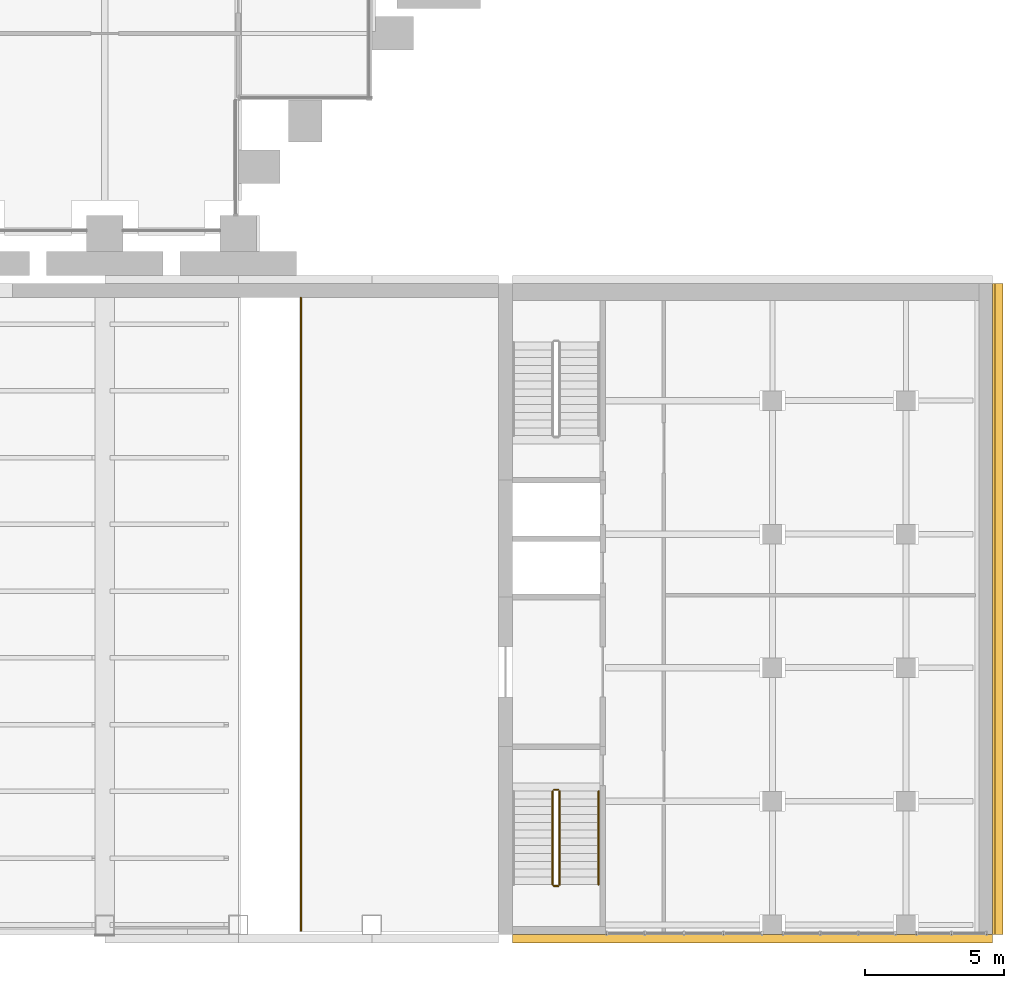
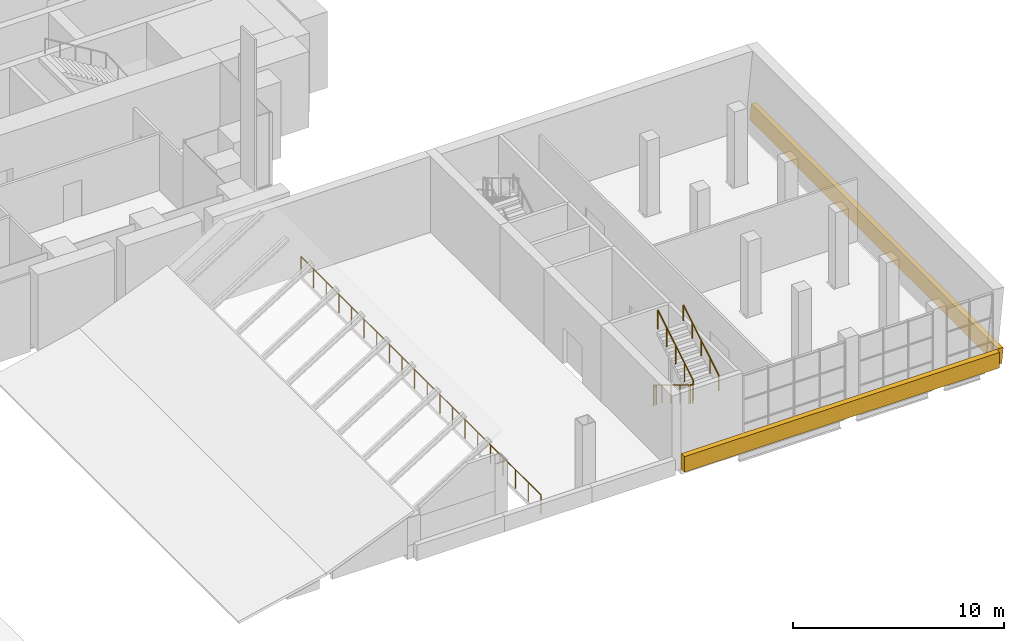
# One storey, part 30 of 32: 6 railings, 2 coverings.
"""IFC4 building model written with IfcOpenShell, lengths in metres."""

from ifc_helpers import new_model, si_unit, direction, frame, origin, origin_2d, place, context, subcontext, project, spatial, polyline, circle, outline, extrude, material, layer, layer_set, type_object, element, save


model = new_model("IFC4")

# Units and contexts
model_context = context("Model", 3, precision=1e-05, world=origin(), true_north=direction((0.0, 1.0)))
body_context = subcontext(model_context, "Body", "Model", "MODEL_VIEW")
ifc_project = project(units=[si_unit("LENGTHUNIT", "METRE"), si_unit("AREAUNIT", "SQUARE_METRE"), si_unit("VOLUMEUNIT", "CUBIC_METRE"), si_unit("PLANEANGLEUNIT", "RADIAN"), si_unit("MASSUNIT", "GRAM", prefix="KILO")], contexts=[model_context])

# Site, building, storey
site_placement = place(None, origin())
site = spatial("IfcSite", under=ifc_project, at=site_placement, CompositionType="ELEMENT")
building_placement = place(site_placement, origin())
building = spatial("IfcBuilding", under=site, at=building_placement, Name="Baori Bourse Tower", CompositionType="ELEMENT")
storey_placement = place(building_placement, frame((0.0, 0.0, 12.60009765625)))
storey = spatial("IfcBuildingStorey", under=building, at=storey_placement, Name="L01", CompositionType="ELEMENT", Elevation=12.60009765625)

# Railing
ifc_material_1 = material(Name="Painted steel S355", Category="steel")
railing_type_1 = type_object("IfcRailingType", Name="Gallery guard 1100", PredefinedType="GUARDRAIL", material=ifc_material_1)
railing_1_placement = place(storey_placement, frame((50.25, -25.050048828125, 0.0)))
element("IfcRailing", 1, at=railing_1_placement, inside=storey, type_object=railing_type_1, Name="Gallery guard", PredefinedType="GUARDRAIL", context=body_context, shape_type="SweptSolid", body=[
    extrude(circle(Radius=0.02392578125, at=origin_2d()), frame((0.0, 0.0, 1.076171875), z_axis=(0.0, 1.0, 0.0), x_axis=(-1.0, 0.0, 0.0)), (0.0, 0.0, 1.0), 22.75),
    extrude(circle(Radius=0.02099609375, at=origin_2d()), origin(), (0.0, 0.0, 1.0), 1.052001953125),
    extrude(circle(Radius=0.02099609375, at=origin_2d()), frame((0.0, 1.197265625, 0.0)), (0.0, 0.0, 1.0), 1.052001953125),
    extrude(circle(Radius=0.02099609375, at=origin_2d()), frame((0.0, 2.394775390625, 0.0)), (0.0, 0.0, 1.0), 1.052001953125),
    extrude(circle(Radius=0.02099609375, at=origin_2d()), frame((0.0, 3.592041015625, 0.0)), (0.0, 0.0, 1.0), 1.052001953125),
    extrude(circle(Radius=0.02099609375, at=origin_2d()), frame((0.0, 4.78955078125, 0.0)), (0.0, 0.0, 1.0), 1.052001953125),
    extrude(circle(Radius=0.02099609375, at=origin_2d()), frame((0.0, 5.98681640625, 0.0)), (0.0, 0.0, 1.0), 1.052001953125),
    extrude(circle(Radius=0.02099609375, at=origin_2d()), frame((0.0, 7.184326171875, 0.0)), (0.0, 0.0, 1.0), 1.052001953125),
    extrude(circle(Radius=0.02099609375, at=origin_2d()), frame((0.0, 8.381591796875, 0.0)), (0.0, 0.0, 1.0), 1.052001953125),
    extrude(circle(Radius=0.02099609375, at=origin_2d()), frame((0.0, 9.578857421875, 0.0)), (0.0, 0.0, 1.0), 1.052001953125),
    extrude(circle(Radius=0.02099609375, at=origin_2d()), frame((0.0, 10.7763671875, 0.0)), (0.0, 0.0, 1.0), 1.052001953125),
    extrude(circle(Radius=0.02099609375, at=origin_2d()), frame((0.0, 11.9736328125, 0.0)), (0.0, 0.0, 1.0), 1.052001953125),
    extrude(circle(Radius=0.02099609375, at=origin_2d()), frame((0.0, 13.171142578125, 0.0)), (0.0, 0.0, 1.0), 1.052001953125),
    extrude(circle(Radius=0.02099609375, at=origin_2d()), frame((0.0, 14.368408203125, 0.0)), (0.0, 0.0, 1.0), 1.052001953125),
    extrude(circle(Radius=0.02099609375, at=origin_2d()), frame((0.0, 15.565673828125, 0.0)), (0.0, 0.0, 1.0), 1.052001953125),
    extrude(circle(Radius=0.02099609375, at=origin_2d()), frame((0.0, 16.76318359375, 0.0)), (0.0, 0.0, 1.0), 1.052001953125),
    extrude(circle(Radius=0.02099609375, at=origin_2d()), frame((0.0, 17.96044921875, 0.0)), (0.0, 0.0, 1.0), 1.052001953125),
    extrude(circle(Radius=0.02099609375, at=origin_2d()), frame((0.0, 19.157958984375, 0.0)), (0.0, 0.0, 1.0), 1.052001953125),
    extrude(circle(Radius=0.02099609375, at=origin_2d()), frame((0.0, 20.355224609375, 0.0)), (0.0, 0.0, 1.0), 1.052001953125),
    extrude(circle(Radius=0.02099609375, at=origin_2d()), frame((0.0, 21.552734375, 0.0)), (0.0, 0.0, 1.0), 1.052001953125),
    extrude(circle(Radius=0.02099609375, at=origin_2d()), frame((0.0, 22.75, 0.0)), (0.0, 0.0, 1.0), 1.052001953125),
])

# Coverings
ifc_material_2 = material(Name="Pale anodised aluminium", Category="aluminium")
ifc_layer = layer(ifc_material_2, 0.300048828125)
ifc_layer_set = layer_set([ifc_layer], Name="Pale metal band 900x300")
covering_type = type_object("IfcCoveringType", Name="Pale metal band 900x300", PredefinedType="CLADDING", material=ifc_layer_set)
covering_1_placement = place(storey_placement, origin())
element("IfcCovering", 2, at=covering_1_placement, inside=storey, type_object=covering_type, Name="BAND", PredefinedType="CLADDING", context=body_context, shape_type="SweptSolid", body=[
    extrude(outline(polyline([(75.105224609375, -25.199951171875), (57.85009765625, -25.199951171875), (57.85009765625, -25.5), (75.105224609375, -25.5), (75.105224609375, -25.199951171875)])), origin(), (0.0, 0.0, 1.0), 0.89990234375),
])
covering_2_placement = place(storey_placement, frame((75.105224609375, -25.199951171875, 0.0), z_axis=(-0.995394173932, 0.0, 0.095866774755), x_axis=(0.0, 1.0, 0.0)))
element("IfcCovering", 3, at=covering_2_placement, inside=storey, type_object=covering_type, Name="BAND", PredefinedType="CLADDING", context=body_context, shape_type="SweptSolid", body=[
    extrude(outline(polyline([(0.0, 0.0), (23.39990234375, 0.0), (23.39990234375, -0.904066315955064), (0.0, -0.904066315955064), (0.0, 0.0)])), origin(), (0.0, 0.0, -1.0), 0.300048828125),
])

# Railings
ifc_material_3 = material(Name="Stainless steel AISI 316", Category="steel")
railing_type_2 = type_object("IfcRailingType", Name="Wing guard 1100", PredefinedType="GUARDRAIL", material=ifc_material_3)
railing_2_placement = place(storey_placement, frame((59.300048828125, -20.0400390625, 0.169189453125)))
element("IfcRailing", 4, at=railing_2_placement, inside=storey, type_object=railing_type_2, Name="L01 E-STB stair guard 1", PredefinedType="GUARDRAIL", context=body_context, shape_type="SweptSolid", body=[
    extrude(circle(Radius=0.02392578125, at=origin_2d()), frame((0.0, 0.0, 1.076171875), z_axis=(0.0, -0.855820338506, 0.51727318527), x_axis=(1.0, 0.0, 0.0)), (0.0, 0.0, 1.0), 3.92578125),
    extrude(circle(Radius=0.02099609375, at=origin_2d()), origin(), (0.0, 0.0, 1.0), 1.052001953125),
    extrude(circle(Radius=0.02099609375, at=origin_2d()), frame((0.0, -0.83984375, 0.5078125)), (0.0, 0.0, 1.0), 1.052001953125),
    extrude(circle(Radius=0.02099609375, at=origin_2d()), frame((0.0, -1.679931640625, 1.015380859375)), (0.0, 0.0, 1.0), 1.052001953125),
    extrude(circle(Radius=0.02099609375, at=origin_2d()), frame((0.0, -2.52001953125, 1.52294921875)), (0.0, 0.0, 1.0), 1.052001953125),
    extrude(circle(Radius=0.02099609375, at=origin_2d()), frame((0.0, -3.35986328125, 2.03076171875)), (0.0, 0.0, 1.0), 1.052001953125),
])
railing_3_placement = place(storey_placement, frame((59.35009765625, -23.449951171875, 2.199951171875)))
element("IfcRailing", 5, at=railing_3_placement, inside=storey, type_object=railing_type_2, Name="L01 E-STB stair guard 2", PredefinedType="GUARDRAIL", context=body_context, shape_type="SweptSolid", body=[
    extrude(circle(Radius=0.02392578125, at=origin_2d()), frame((0.0, 0.0, 1.076171875), z_axis=(1.0, 0.0, 0.0), x_axis=(0.0, 1.0, 0.0)), (0.0, 0.0, 1.0), 0.14990234375),
    extrude(circle(Radius=0.02099609375, at=origin_2d()), origin(), (0.0, 0.0, 1.0), 1.052001953125),
    extrude(circle(Radius=0.02099609375, at=origin_2d()), frame((0.14990234375, 0.0, 0.0)), (0.0, 0.0, 1.0), 1.052001953125),
])
railing_4_placement = place(storey_placement, frame((59.550048828125, -23.39990234375, 2.369140625)))
element("IfcRailing", 6, at=railing_4_placement, inside=storey, type_object=railing_type_2, Name="L01 E-STB stair guard 3", PredefinedType="GUARDRAIL", context=body_context, shape_type="SweptSolid", body=[
    extrude(circle(Radius=0.02392578125, at=origin_2d()), frame((0.0, 0.0, 1.076171875), z_axis=(0.0, 0.855820338506, 0.51727318527), x_axis=(-1.0, 0.0, 0.0)), (0.0, 0.0, 1.0), 3.92578125),
    extrude(circle(Radius=0.02099609375, at=origin_2d()), origin(), (0.0, 0.0, 1.0), 1.052001953125),
    extrude(circle(Radius=0.02099609375, at=origin_2d()), frame((0.0, 0.83984375, 0.5078125)), (0.0, 0.0, 1.0), 1.052001953125),
    extrude(circle(Radius=0.02099609375, at=origin_2d()), frame((0.0, 1.679931640625, 1.015380859375)), (0.0, 0.0, 1.0), 1.052001953125),
    extrude(circle(Radius=0.02099609375, at=origin_2d()), frame((0.0, 2.52001953125, 1.52294921875)), (0.0, 0.0, 1.0), 1.052001953125),
    extrude(circle(Radius=0.02099609375, at=origin_2d()), frame((0.0, 3.35986328125, 2.03076171875)), (0.0, 0.0, 1.0), 1.052001953125),
])
railing_5_placement = place(storey_placement, frame((59.35009765625, -19.989990234375, 0.0)))
element("IfcRailing", 7, at=railing_5_placement, inside=storey, type_object=railing_type_2, Name="L01 E-STB stair guard 4", PredefinedType="GUARDRAIL", context=body_context, shape_type="SweptSolid", body=[
    extrude(circle(Radius=0.02392578125, at=origin_2d()), frame((0.0, 0.0, 1.076171875), z_axis=(1.0, 0.0, 0.0), x_axis=(0.0, 1.0, 0.0)), (0.0, 0.0, 1.0), 0.14990234375),
    extrude(circle(Radius=0.02099609375, at=origin_2d()), origin(), (0.0, 0.0, 1.0), 1.052001953125),
    extrude(circle(Radius=0.02099609375, at=origin_2d()), frame((0.14990234375, 0.0, 0.0)), (0.0, 0.0, 1.0), 1.052001953125),
])
ifc_material_4 = material(Name="Stainless steel AISI 316", Category="steel")
railing_type_3 = type_object("IfcRailingType", Name="Wing handrail 900", PredefinedType="HANDRAIL", material=ifc_material_4)
railing_6_placement = place(storey_placement, frame((60.949951171875, -23.39990234375, 2.369140625)))
element("IfcRailing", 8, at=railing_6_placement, inside=storey, type_object=railing_type_3, Name="L01 E-STB stair handrail 2", PredefinedType="HANDRAIL", context=body_context, shape_type="SweptSolid", body=[
    extrude(circle(Radius=0.02392578125, at=origin_2d()), frame((0.0, 0.0, 0.8759765625), z_axis=(0.0, 0.855820338506, 0.51727318527), x_axis=(-1.0, 0.0, 0.0)), (0.0, 0.0, 1.0), 3.92578125),
    extrude(circle(Radius=0.02099609375, at=origin_2d()), origin(), (0.0, 0.0, 1.0), 0.851806640625),
    extrude(circle(Radius=0.02099609375, at=origin_2d()), frame((0.0, 0.83984375, 0.5078125)), (0.0, 0.0, 1.0), 0.851806640625),
    extrude(circle(Radius=0.02099609375, at=origin_2d()), frame((0.0, 1.679931640625, 1.015380859375)), (0.0, 0.0, 1.0), 0.851806640625),
    extrude(circle(Radius=0.02099609375, at=origin_2d()), frame((0.0, 2.52001953125, 1.52294921875)), (0.0, 0.0, 1.0), 0.851806640625),
    extrude(circle(Radius=0.02099609375, at=origin_2d()), frame((0.0, 3.35986328125, 2.03076171875)), (0.0, 0.0, 1.0), 0.851806640625),
])

save(model, "model.ifc")
